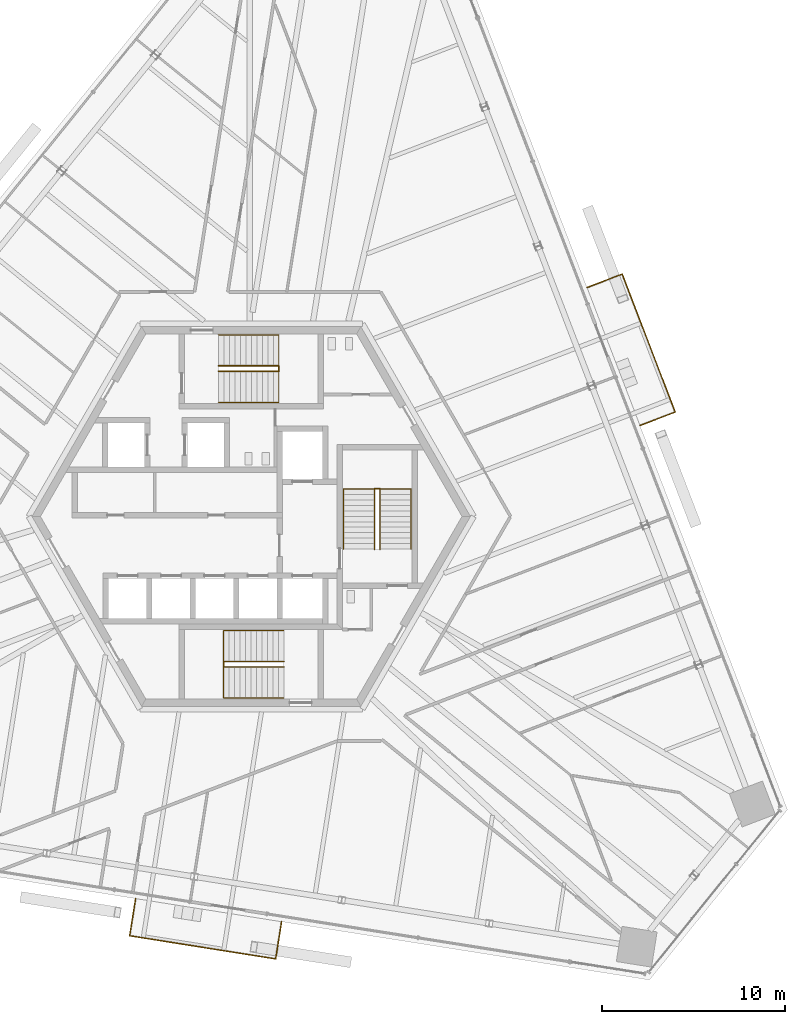
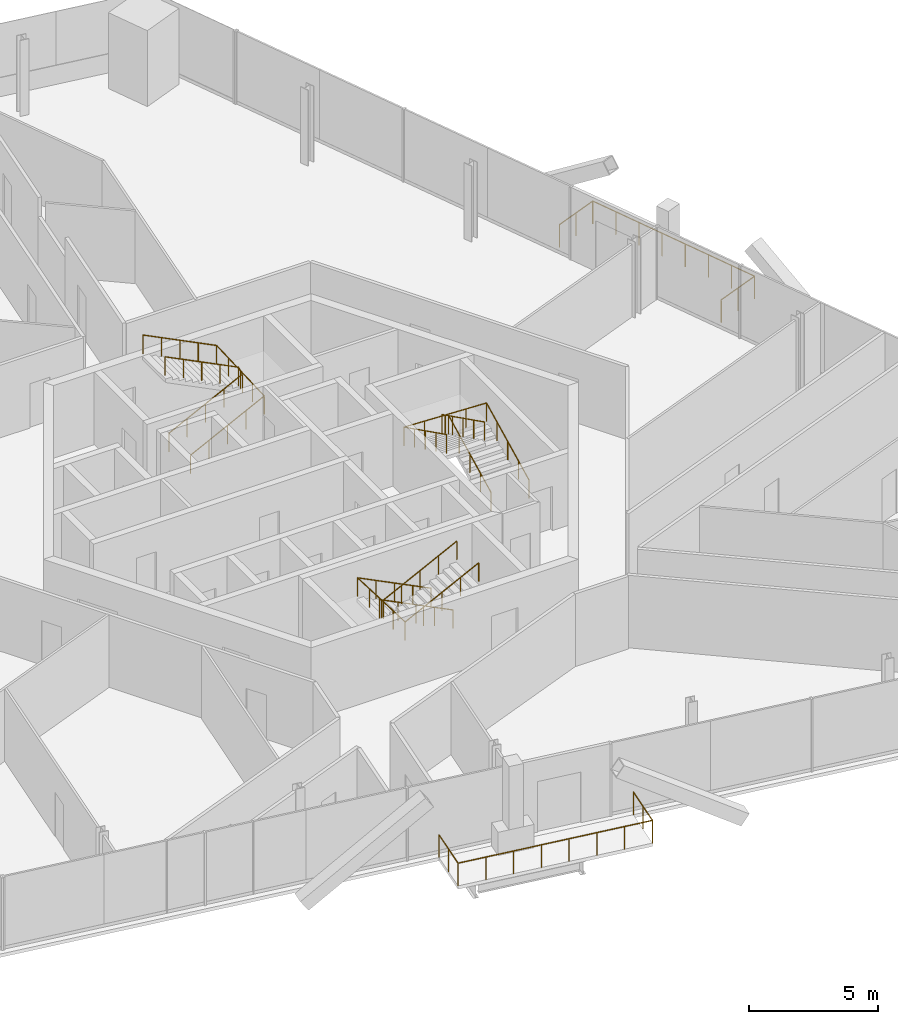
# One storey, part 16 of 19: 8 railings.
"""IFC4 building model written with IfcOpenShell, lengths in metres."""

from ifc_helpers import new_model, si_unit, direction, frame, origin, origin_2d, place, context, subcontext, project, spatial, circle, extrude, source, transform, mapped, material, type_object, element, save


model = new_model("IFC4")

# Units and contexts
model_context = context("Model", 3, precision=1e-05, world=origin(), true_north=direction((0.0, 1.0)))
body_context = subcontext(model_context, "Body", "Model", "MODEL_VIEW")
ifc_project = project(units=[si_unit("LENGTHUNIT", "METRE"), si_unit("AREAUNIT", "SQUARE_METRE"), si_unit("VOLUMEUNIT", "CUBIC_METRE"), si_unit("PLANEANGLEUNIT", "RADIAN"), si_unit("MASSUNIT", "GRAM", prefix="KILO")], contexts=[model_context])

# Site, building, storey
site_placement = place(None, origin())
site = spatial("IfcSite", under=ifc_project, at=site_placement, CompositionType="ELEMENT")
building_placement = place(site_placement, origin())
building = spatial("IfcBuilding", under=site, at=building_placement, Name="Triune Harvest Tower", CompositionType="ELEMENT")
storey_placement = place(building_placement, frame((0.0, 0.0, 149.699951171875)))
storey = spatial("IfcBuildingStorey", under=building, at=storey_placement, Name="L38", CompositionType="ELEMENT", Elevation=149.699951171875)

# Railings
ifc_material_1 = material(Name="Glass", Category="glass")
railing_type_1 = type_object("IfcRailingType", Name="GD-2 balcony guard 1100", PredefinedType="GUARDRAIL", material=ifc_material_1)
railing_1_placement = place(storey_placement, frame((21.280517578125, 4.977294921875, 0.0)))
element("IfcRailing", 1, at=railing_1_placement, inside=storey, type_object=railing_type_1, Name="Balcony guard B4-F1 L38.7", PredefinedType="GUARDRAIL", context=body_context, shape_type="SweptSolid", body=[
    extrude(circle(Radius=0.02392578125, at=origin_2d()), frame((0.0, 0.0, 1.076171875), z_axis=(0.933604848327, 0.358304322023, 0.0), x_axis=(-0.358304322023, 0.933604848327, 0.0)), (0.0, 0.0, 1.0), 2.061279296875),
    extrude(circle(Radius=0.02392578125, at=origin_2d()), frame((1.92431640625, 0.738525390625, 1.076171875), z_axis=(-0.358378426546, 0.933576404686, 0.0), x_axis=(-0.933576404686, -0.358378426546, 0.0)), (0.0, 0.0, 1.0), 8.09033203125),
    extrude(circle(Radius=0.02392578125, at=origin_2d()), frame((-0.97509765625, 8.29150390625, 1.076171875), z_axis=(-0.933565221806, -0.358407556608, 0.0), x_axis=(0.358407556608, -0.933565221806, 0.0)), (0.0, 0.0, 1.0), 2.061279296875),
    extrude(circle(Radius=0.02099609375, at=origin_2d()), origin(), (0.0, 0.0, 1.0), 1.052001953125),
    extrude(circle(Radius=0.02099609375, at=origin_2d()), frame((0.962158203125, 0.369140625, 0.0)), (0.0, 0.0, 1.0), 1.052001953125),
    extrude(circle(Radius=0.02099609375, at=origin_2d()), frame((1.92431640625, 0.738525390625, 0.0)), (0.0, 0.0, 1.0), 1.052001953125),
    extrude(circle(Radius=0.02099609375, at=origin_2d()), frame((1.510009765625, 1.817626953125, 0.0)), (0.0, 0.0, 1.0), 1.052001953125),
    extrude(circle(Radius=0.02099609375, at=origin_2d()), frame((1.095947265625, 2.896484375, 0.0)), (0.0, 0.0, 1.0), 1.052001953125),
    extrude(circle(Radius=0.02099609375, at=origin_2d()), frame((0.681640625, 3.9755859375, 0.0)), (0.0, 0.0, 1.0), 1.052001953125),
    extrude(circle(Radius=0.02099609375, at=origin_2d()), frame((0.267578125, 5.054443359375, 0.0)), (0.0, 0.0, 1.0), 1.052001953125),
    extrude(circle(Radius=0.02099609375, at=origin_2d()), frame((-0.146728515625, 6.133544921875, 0.0)), (0.0, 0.0, 1.0), 1.052001953125),
    extrude(circle(Radius=0.02099609375, at=origin_2d()), frame((-0.560791015625, 7.21240234375, 0.0)), (0.0, 0.0, 1.0), 1.052001953125),
    extrude(circle(Radius=0.02099609375, at=origin_2d()), frame((-0.97509765625, 8.29150390625, 0.0)), (0.0, 0.0, 1.0), 1.052001953125),
    extrude(circle(Radius=0.02099609375, at=origin_2d()), frame((-1.937255859375, 7.922119140625, 0.0)), (0.0, 0.0, 1.0), 1.052001953125),
    extrude(circle(Radius=0.02099609375, at=origin_2d()), frame((-2.8994140625, 7.552734375, 0.0)), (0.0, 0.0, 1.0), 1.052001953125),
])
railing_2_placement = place(storey_placement, frame((-6.329833984375, -20.91796875, 0.0)))
element("IfcRailing", 2, at=railing_2_placement, inside=storey, type_object=railing_type_1, Name="Balcony guard B4-F5 L38.7", PredefinedType="GUARDRAIL", context=body_context, shape_type="SweptSolid", body=[
    extrude(circle(Radius=0.02392578125, at=origin_2d()), frame((0.0, 0.0, 1.076171875), z_axis=(-0.156461288555, -0.987684091794, 0.0), x_axis=(0.987684091794, -0.156461288555, 0.0)), (0.0, 0.0, 1.0), 2.061279296875),
    extrude(circle(Radius=0.02392578125, at=origin_2d()), frame((-0.322509765625, -2.035888671875, 1.076171875), z_axis=(0.987687980324, -0.156436739688, 0.0), x_axis=(0.156436739688, 0.987687980324, 0.0)), (0.0, 0.0, 1.0), 8.09033203125),
    extrude(circle(Radius=0.02392578125, at=origin_2d()), frame((7.668212890625, -3.301513671875, 1.076171875), z_axis=(0.156345743258, 0.98770238866, 0.0), x_axis=(-0.98770238866, 0.156345743258, 0.0)), (0.0, 0.0, 1.0), 2.061279296875),
    extrude(circle(Radius=0.02099609375, at=origin_2d()), origin(), (0.0, 0.0, 1.0), 1.052001953125),
    extrude(circle(Radius=0.02099609375, at=origin_2d()), frame((-0.1611328125, -1.01806640625, 0.0)), (0.0, 0.0, 1.0), 1.052001953125),
    extrude(circle(Radius=0.02099609375, at=origin_2d()), frame((-0.322509765625, -2.035888671875, 0.0)), (0.0, 0.0, 1.0), 1.052001953125),
    extrude(circle(Radius=0.02099609375, at=origin_2d()), frame((0.819091796875, -2.216796875, 0.0)), (0.0, 0.0, 1.0), 1.052001953125),
    extrude(circle(Radius=0.02099609375, at=origin_2d()), frame((1.96044921875, -2.3974609375, 0.0)), (0.0, 0.0, 1.0), 1.052001953125),
    extrude(circle(Radius=0.02099609375, at=origin_2d()), frame((3.10205078125, -2.578369140625, 0.0)), (0.0, 0.0, 1.0), 1.052001953125),
    extrude(circle(Radius=0.02099609375, at=origin_2d()), frame((4.24365234375, -2.759033203125, 0.0)), (0.0, 0.0, 1.0), 1.052001953125),
    extrude(circle(Radius=0.02099609375, at=origin_2d()), frame((5.38525390625, -2.93994140625, 0.0)), (0.0, 0.0, 1.0), 1.052001953125),
    extrude(circle(Radius=0.02099609375, at=origin_2d()), frame((6.526611328125, -3.12060546875, 0.0)), (0.0, 0.0, 1.0), 1.052001953125),
    extrude(circle(Radius=0.02099609375, at=origin_2d()), frame((7.668212890625, -3.301513671875, 0.0)), (0.0, 0.0, 1.0), 1.052001953125),
    extrude(circle(Radius=0.02099609375, at=origin_2d()), frame((7.829345703125, -2.28369140625, 0.0)), (0.0, 0.0, 1.0), 1.052001953125),
    extrude(circle(Radius=0.02099609375, at=origin_2d()), frame((7.990478515625, -1.265625, 0.0)), (0.0, 0.0, 1.0), 1.052001953125),
])
ifc_material_2 = material(Name="Stainless steel AISI 316", Category="steel")
railing_type_2 = type_object("IfcRailingType", Name="Stair handrail", PredefinedType="HANDRAIL", material=ifc_material_2)
shared_shape_1 = source(origin(), body_context, "Body", "SweptSolid", [
    extrude(circle(Radius=0.02392578125, at=origin_2d()), frame((0.0, 0.0, 0.8759765625), z_axis=(0.894440424912, 0.0, 0.447187126696), x_axis=(0.0, 1.0, 0.0)), (0.0, 0.0, 1.0), 3.689453125),
    extrude(circle(Radius=0.02392578125, at=origin_2d()), frame((3.300048828125, 0.0, 2.52587890625), z_axis=(0.0, 0.999180289278, 0.040481471304), x_axis=(-1.0, 0.0, 0.0)), (0.0, 0.0, 1.0), 3.702880859375),
    extrude(circle(Radius=0.02392578125, at=origin_2d()), frame((3.300048828125, 3.699951171875, 2.67578125), z_axis=(-0.894413956696, 0.0, 0.447240063129), x_axis=(0.0, -1.0, 0.0)), (0.0, 0.0, 1.0), 3.689697265625),
    extrude(circle(Radius=0.02099609375, at=origin_2d()), origin(), (0.0, 0.0, 1.0), 0.851806640625),
    extrude(circle(Radius=0.02099609375, at=origin_2d()), frame((0.824951171875, 0.0, 0.41259765625)), (0.0, 0.0, 1.0), 0.851806640625),
    extrude(circle(Radius=0.02099609375, at=origin_2d()), frame((1.64990234375, 0.0, 0.824951171875)), (0.0, 0.0, 1.0), 0.851806640625),
    extrude(circle(Radius=0.02099609375, at=origin_2d()), frame((2.47509765625, 0.0, 1.2373046875)), (0.0, 0.0, 1.0), 0.851806640625),
    extrude(circle(Radius=0.02099609375, at=origin_2d()), frame((3.300048828125, 0.0, 1.64990234375)), (0.0, 0.0, 1.0), 0.851806640625),
    extrude(circle(Radius=0.02099609375, at=origin_2d()), frame((3.300048828125, 0.925048828125, 1.6875)), (0.0, 0.0, 1.0), 0.851806640625),
    extrude(circle(Radius=0.02099609375, at=origin_2d()), frame((3.300048828125, 1.85009765625, 1.724853515625)), (0.0, 0.0, 1.0), 0.851806640625),
    extrude(circle(Radius=0.02099609375, at=origin_2d()), frame((3.300048828125, 2.77490234375, 1.76220703125)), (0.0, 0.0, 1.0), 0.851806640625),
    extrude(circle(Radius=0.02099609375, at=origin_2d()), frame((3.300048828125, 3.699951171875, 1.7998046875)), (0.0, 0.0, 1.0), 0.851806640625),
    extrude(circle(Radius=0.02099609375, at=origin_2d()), frame((2.47509765625, 3.699951171875, 2.21240234375)), (0.0, 0.0, 1.0), 0.851806640625),
    extrude(circle(Radius=0.02099609375, at=origin_2d()), frame((1.64990234375, 3.699951171875, 2.625)), (0.0, 0.0, 1.0), 0.851806640625),
    extrude(circle(Radius=0.02099609375, at=origin_2d()), frame((0.824951171875, 3.699951171875, 3.037353515625)), (0.0, 0.0, 1.0), 0.851806640625),
    extrude(circle(Radius=0.02099609375, at=origin_2d()), frame((0.0, 3.699951171875, 3.449951171875)), (0.0, 0.0, 1.0), 0.851806640625),
])
railing_3_placement = place(storey_placement, frame((-1.7900390625, 6.239990234375, 0.150146484375)))
element("IfcRailing", 3, at=railing_3_placement, inside=storey, type_object=railing_type_2, Name="Exit stair north wall handrail", PredefinedType="HANDRAIL", context=body_context, shape_type="MappedRepresentation", body=[
    mapped(shared_shape_1, transform((0.0, 0.0, 0.0), scale=1.0)),
])
shared_shape_2 = source(origin(), body_context, "Body", "SweptSolid", [
    extrude(circle(Radius=0.02392578125, at=origin_2d()), frame((0.0, 0.0, 0.8759765625), z_axis=(0.894440424912, 0.0, 0.447187126696), x_axis=(0.0, 1.0, 0.0)), (0.0, 0.0, 1.0), 3.689453125),
    extrude(circle(Radius=0.02392578125, at=origin_2d()), frame((3.300048828125, 0.0, 2.52587890625), z_axis=(0.0, 0.894572720946, 0.446922417137), x_axis=(-1.0, 0.0, 0.0)), (0.0, 0.0, 1.0), 0.33544921875),
    extrude(circle(Radius=0.02392578125, at=origin_2d()), frame((3.300048828125, 0.300048828125, 2.67578125), z_axis=(-0.894413956696, 0.0, 0.447240063129), x_axis=(0.0, -1.0, 0.0)), (0.0, 0.0, 1.0), 3.689697265625),
    extrude(circle(Radius=0.02099609375, at=origin_2d()), origin(), (0.0, 0.0, 1.0), 0.851806640625),
    extrude(circle(Radius=0.02099609375, at=origin_2d()), frame((0.824951171875, 0.0, 0.41259765625)), (0.0, 0.0, 1.0), 0.851806640625),
    extrude(circle(Radius=0.02099609375, at=origin_2d()), frame((1.64990234375, 0.0, 0.824951171875)), (0.0, 0.0, 1.0), 0.851806640625),
    extrude(circle(Radius=0.02099609375, at=origin_2d()), frame((2.47509765625, 0.0, 1.2373046875)), (0.0, 0.0, 1.0), 0.851806640625),
    extrude(circle(Radius=0.02099609375, at=origin_2d()), frame((3.300048828125, 0.0, 1.64990234375)), (0.0, 0.0, 1.0), 0.851806640625),
    extrude(circle(Radius=0.02099609375, at=origin_2d()), frame((3.300048828125, 0.300048828125, 1.7998046875)), (0.0, 0.0, 1.0), 0.851806640625),
    extrude(circle(Radius=0.02099609375, at=origin_2d()), frame((2.47509765625, 0.300048828125, 2.21240234375)), (0.0, 0.0, 1.0), 0.851806640625),
    extrude(circle(Radius=0.02099609375, at=origin_2d()), frame((1.64990234375, 0.300048828125, 2.625)), (0.0, 0.0, 1.0), 0.851806640625),
    extrude(circle(Radius=0.02099609375, at=origin_2d()), frame((0.824951171875, 0.300048828125, 3.037353515625)), (0.0, 0.0, 1.0), 0.851806640625),
    extrude(circle(Radius=0.02099609375, at=origin_2d()), frame((0.0, 0.300048828125, 3.449951171875)), (0.0, 0.0, 1.0), 0.851806640625),
])
railing_4_placement = place(storey_placement, frame((-1.7900390625, 7.93994140625, 0.150146484375)))
element("IfcRailing", 4, at=railing_4_placement, inside=storey, type_object=railing_type_2, Name="Exit stair north centre handrail", PredefinedType="HANDRAIL", context=body_context, shape_type="MappedRepresentation", body=[
    mapped(shared_shape_2, transform((0.0, 0.0, 0.0), scale=1.0)),
])
shared_shape_3 = source(origin(), body_context, "Body", "SweptSolid", [
    extrude(circle(Radius=0.02392578125, at=origin_2d()), frame((0.0, 0.0, 0.8759765625), z_axis=(-0.894440424912, 0.0, 0.447187126696), x_axis=(0.0, -1.0, 0.0)), (0.0, 0.0, 1.0), 3.689453125),
    extrude(circle(Radius=0.02392578125, at=origin_2d()), frame((-3.300048828125, 0.0, 2.52587890625), z_axis=(0.0, -0.999180289278, 0.040481471304), x_axis=(1.0, 0.0, 0.0)), (0.0, 0.0, 1.0), 3.702880859375),
    extrude(circle(Radius=0.02392578125, at=origin_2d()), frame((-3.300048828125, -3.699951171875, 2.67578125), z_axis=(0.894413956696, 0.0, 0.447240063129), x_axis=(0.0, 1.0, 0.0)), (0.0, 0.0, 1.0), 3.689697265625),
    extrude(circle(Radius=0.02099609375, at=origin_2d()), origin(), (0.0, 0.0, 1.0), 0.851806640625),
    extrude(circle(Radius=0.02099609375, at=origin_2d()), frame((-0.824951171875, 0.0, 0.41259765625)), (0.0, 0.0, 1.0), 0.851806640625),
    extrude(circle(Radius=0.02099609375, at=origin_2d()), frame((-1.64990234375, 0.0, 0.824951171875)), (0.0, 0.0, 1.0), 0.851806640625),
    extrude(circle(Radius=0.02099609375, at=origin_2d()), frame((-2.47509765625, 0.0, 1.2373046875)), (0.0, 0.0, 1.0), 0.851806640625),
    extrude(circle(Radius=0.02099609375, at=origin_2d()), frame((-3.300048828125, 0.0, 1.64990234375)), (0.0, 0.0, 1.0), 0.851806640625),
    extrude(circle(Radius=0.02099609375, at=origin_2d()), frame((-3.300048828125, -0.925048828125, 1.6875)), (0.0, 0.0, 1.0), 0.851806640625),
    extrude(circle(Radius=0.02099609375, at=origin_2d()), frame((-3.300048828125, -1.85009765625, 1.724853515625)), (0.0, 0.0, 1.0), 0.851806640625),
    extrude(circle(Radius=0.02099609375, at=origin_2d()), frame((-3.300048828125, -2.77490234375, 1.76220703125)), (0.0, 0.0, 1.0), 0.851806640625),
    extrude(circle(Radius=0.02099609375, at=origin_2d()), frame((-3.300048828125, -3.699951171875, 1.7998046875)), (0.0, 0.0, 1.0), 0.851806640625),
    extrude(circle(Radius=0.02099609375, at=origin_2d()), frame((-2.47509765625, -3.699951171875, 2.21240234375)), (0.0, 0.0, 1.0), 0.851806640625),
    extrude(circle(Radius=0.02099609375, at=origin_2d()), frame((-1.64990234375, -3.699951171875, 2.625)), (0.0, 0.0, 1.0), 0.851806640625),
    extrude(circle(Radius=0.02099609375, at=origin_2d()), frame((-0.824951171875, -3.699951171875, 3.037353515625)), (0.0, 0.0, 1.0), 0.851806640625),
    extrude(circle(Radius=0.02099609375, at=origin_2d()), frame((0.0, -3.699951171875, 3.449951171875)), (0.0, 0.0, 1.0), 0.851806640625),
])
railing_5_placement = place(storey_placement, frame((1.7900390625, -6.239990234375, 0.150146484375)))
element("IfcRailing", 5, at=railing_5_placement, inside=storey, type_object=railing_type_2, Name="Exit stair south wall handrail", PredefinedType="HANDRAIL", context=body_context, shape_type="MappedRepresentation", body=[
    mapped(shared_shape_3, transform((0.0, 0.0, 0.0), scale=1.0)),
])
shared_shape_4 = source(origin(), body_context, "Body", "SweptSolid", [
    extrude(circle(Radius=0.02392578125, at=origin_2d()), frame((0.0, 0.0, 0.8759765625), z_axis=(-0.894440424912, 0.0, 0.447187126696), x_axis=(0.0, -1.0, 0.0)), (0.0, 0.0, 1.0), 3.689453125),
    extrude(circle(Radius=0.02392578125, at=origin_2d()), frame((-3.300048828125, 0.0, 2.52587890625), z_axis=(0.0, -0.894572720946, 0.446922417137), x_axis=(1.0, 0.0, 0.0)), (0.0, 0.0, 1.0), 0.33544921875),
    extrude(circle(Radius=0.02392578125, at=origin_2d()), frame((-3.300048828125, -0.300048828125, 2.67578125), z_axis=(0.894413956696, 0.0, 0.447240063129), x_axis=(0.0, 1.0, 0.0)), (0.0, 0.0, 1.0), 3.689697265625),
    extrude(circle(Radius=0.02099609375, at=origin_2d()), origin(), (0.0, 0.0, 1.0), 0.851806640625),
    extrude(circle(Radius=0.02099609375, at=origin_2d()), frame((-0.824951171875, 0.0, 0.41259765625)), (0.0, 0.0, 1.0), 0.851806640625),
    extrude(circle(Radius=0.02099609375, at=origin_2d()), frame((-1.64990234375, 0.0, 0.824951171875)), (0.0, 0.0, 1.0), 0.851806640625),
    extrude(circle(Radius=0.02099609375, at=origin_2d()), frame((-2.47509765625, 0.0, 1.2373046875)), (0.0, 0.0, 1.0), 0.851806640625),
    extrude(circle(Radius=0.02099609375, at=origin_2d()), frame((-3.300048828125, 0.0, 1.64990234375)), (0.0, 0.0, 1.0), 0.851806640625),
    extrude(circle(Radius=0.02099609375, at=origin_2d()), frame((-3.300048828125, -0.300048828125, 1.7998046875)), (0.0, 0.0, 1.0), 0.851806640625),
    extrude(circle(Radius=0.02099609375, at=origin_2d()), frame((-2.47509765625, -0.300048828125, 2.21240234375)), (0.0, 0.0, 1.0), 0.851806640625),
    extrude(circle(Radius=0.02099609375, at=origin_2d()), frame((-1.64990234375, -0.300048828125, 2.625)), (0.0, 0.0, 1.0), 0.851806640625),
    extrude(circle(Radius=0.02099609375, at=origin_2d()), frame((-0.824951171875, -0.300048828125, 3.037353515625)), (0.0, 0.0, 1.0), 0.851806640625),
    extrude(circle(Radius=0.02099609375, at=origin_2d()), frame((0.0, -0.300048828125, 3.449951171875)), (0.0, 0.0, 1.0), 0.851806640625),
])
railing_6_placement = place(storey_placement, frame((1.7900390625, -7.93994140625, 0.150146484375)))
element("IfcRailing", 6, at=railing_6_placement, inside=storey, type_object=railing_type_2, Name="Exit stair south centre handrail", PredefinedType="HANDRAIL", context=body_context, shape_type="MappedRepresentation", body=[
    mapped(shared_shape_4, transform((0.0, 0.0, 0.0), scale=1.0)),
])
shared_shape_5 = source(origin(), body_context, "Body", "SweptSolid", [
    extrude(circle(Radius=0.02392578125, at=origin_2d()), frame((0.0, 0.0, 0.8759765625), z_axis=(0.0, 0.894440424912, 0.447187126696), x_axis=(-1.0, 0.0, 0.0)), (0.0, 0.0, 1.0), 3.689453125),
    extrude(circle(Radius=0.02392578125, at=origin_2d()), frame((0.0, 3.300048828125, 2.52587890625), z_axis=(-0.999180289278, 0.0, 0.040481471304), x_axis=(0.0, -1.0, 0.0)), (0.0, 0.0, 1.0), 3.702880859375),
    extrude(circle(Radius=0.02392578125, at=origin_2d()), frame((-3.699951171875, 3.300048828125, 2.67578125), z_axis=(0.0, -0.894413956696, 0.447240063129), x_axis=(1.0, 0.0, 0.0)), (0.0, 0.0, 1.0), 3.689697265625),
    extrude(circle(Radius=0.02099609375, at=origin_2d()), origin(), (0.0, 0.0, 1.0), 0.851806640625),
    extrude(circle(Radius=0.02099609375, at=origin_2d()), frame((0.0, 0.824951171875, 0.41259765625)), (0.0, 0.0, 1.0), 0.851806640625),
    extrude(circle(Radius=0.02099609375, at=origin_2d()), frame((0.0, 1.64990234375, 0.824951171875)), (0.0, 0.0, 1.0), 0.851806640625),
    extrude(circle(Radius=0.02099609375, at=origin_2d()), frame((0.0, 2.47509765625, 1.2373046875)), (0.0, 0.0, 1.0), 0.851806640625),
    extrude(circle(Radius=0.02099609375, at=origin_2d()), frame((0.0, 3.300048828125, 1.64990234375)), (0.0, 0.0, 1.0), 0.851806640625),
    extrude(circle(Radius=0.02099609375, at=origin_2d()), frame((-0.925048828125, 3.300048828125, 1.6875)), (0.0, 0.0, 1.0), 0.851806640625),
    extrude(circle(Radius=0.02099609375, at=origin_2d()), frame((-1.85009765625, 3.300048828125, 1.724853515625)), (0.0, 0.0, 1.0), 0.851806640625),
    extrude(circle(Radius=0.02099609375, at=origin_2d()), frame((-2.77490234375, 3.300048828125, 1.76220703125)), (0.0, 0.0, 1.0), 0.851806640625),
    extrude(circle(Radius=0.02099609375, at=origin_2d()), frame((-3.699951171875, 3.300048828125, 1.7998046875)), (0.0, 0.0, 1.0), 0.851806640625),
    extrude(circle(Radius=0.02099609375, at=origin_2d()), frame((-3.699951171875, 2.47509765625, 2.21240234375)), (0.0, 0.0, 1.0), 0.851806640625),
    extrude(circle(Radius=0.02099609375, at=origin_2d()), frame((-3.699951171875, 1.64990234375, 2.625)), (0.0, 0.0, 1.0), 0.851806640625),
    extrude(circle(Radius=0.02099609375, at=origin_2d()), frame((-3.699951171875, 0.824951171875, 3.037353515625)), (0.0, 0.0, 1.0), 0.851806640625),
    extrude(circle(Radius=0.02099609375, at=origin_2d()), frame((-3.699951171875, 0.0, 3.449951171875)), (0.0, 0.0, 1.0), 0.851806640625),
])
railing_7_placement = place(storey_placement, frame((8.75, -1.7900390625, 0.150146484375)))
element("IfcRailing", 7, at=railing_7_placement, inside=storey, type_object=railing_type_2, Name="Exit stair east wall handrail", PredefinedType="HANDRAIL", context=body_context, shape_type="MappedRepresentation", body=[
    mapped(shared_shape_5, transform((0.0, 0.0, 0.0), scale=1.0)),
])
shared_shape_6 = source(origin(), body_context, "Body", "SweptSolid", [
    extrude(circle(Radius=0.02392578125, at=origin_2d()), frame((0.0, 0.0, 0.8759765625), z_axis=(0.0, 0.894440424912, 0.447187126696), x_axis=(-1.0, 0.0, 0.0)), (0.0, 0.0, 1.0), 3.689453125),
    extrude(circle(Radius=0.02392578125, at=origin_2d()), frame((0.0, 3.300048828125, 2.52587890625), z_axis=(-0.894572720946, 0.0, 0.446922417137), x_axis=(0.0, -1.0, 0.0)), (0.0, 0.0, 1.0), 0.33544921875),
    extrude(circle(Radius=0.02392578125, at=origin_2d()), frame((-0.300048828125, 3.300048828125, 2.67578125), z_axis=(0.0, -0.894413956696, 0.447240063129), x_axis=(1.0, 0.0, 0.0)), (0.0, 0.0, 1.0), 3.689697265625),
    extrude(circle(Radius=0.02099609375, at=origin_2d()), origin(), (0.0, 0.0, 1.0), 0.851806640625),
    extrude(circle(Radius=0.02099609375, at=origin_2d()), frame((0.0, 0.824951171875, 0.41259765625)), (0.0, 0.0, 1.0), 0.851806640625),
    extrude(circle(Radius=0.02099609375, at=origin_2d()), frame((0.0, 1.64990234375, 0.824951171875)), (0.0, 0.0, 1.0), 0.851806640625),
    extrude(circle(Radius=0.02099609375, at=origin_2d()), frame((0.0, 2.47509765625, 1.2373046875)), (0.0, 0.0, 1.0), 0.851806640625),
    extrude(circle(Radius=0.02099609375, at=origin_2d()), frame((0.0, 3.300048828125, 1.64990234375)), (0.0, 0.0, 1.0), 0.851806640625),
    extrude(circle(Radius=0.02099609375, at=origin_2d()), frame((-0.300048828125, 3.300048828125, 1.7998046875)), (0.0, 0.0, 1.0), 0.851806640625),
    extrude(circle(Radius=0.02099609375, at=origin_2d()), frame((-0.300048828125, 2.47509765625, 2.21240234375)), (0.0, 0.0, 1.0), 0.851806640625),
    extrude(circle(Radius=0.02099609375, at=origin_2d()), frame((-0.300048828125, 1.64990234375, 2.625)), (0.0, 0.0, 1.0), 0.851806640625),
    extrude(circle(Radius=0.02099609375, at=origin_2d()), frame((-0.300048828125, 0.824951171875, 3.037353515625)), (0.0, 0.0, 1.0), 0.851806640625),
    extrude(circle(Radius=0.02099609375, at=origin_2d()), frame((-0.300048828125, 0.0, 3.449951171875)), (0.0, 0.0, 1.0), 0.851806640625),
])
railing_8_placement = place(storey_placement, frame((7.050048828125, -1.7900390625, 0.150146484375)))
element("IfcRailing", 8, at=railing_8_placement, inside=storey, type_object=railing_type_2, Name="Exit stair east centre handrail", PredefinedType="HANDRAIL", context=body_context, shape_type="MappedRepresentation", body=[
    mapped(shared_shape_6, transform((0.0, 0.0, 0.0), scale=1.0)),
])

save(model, "model.ifc")
